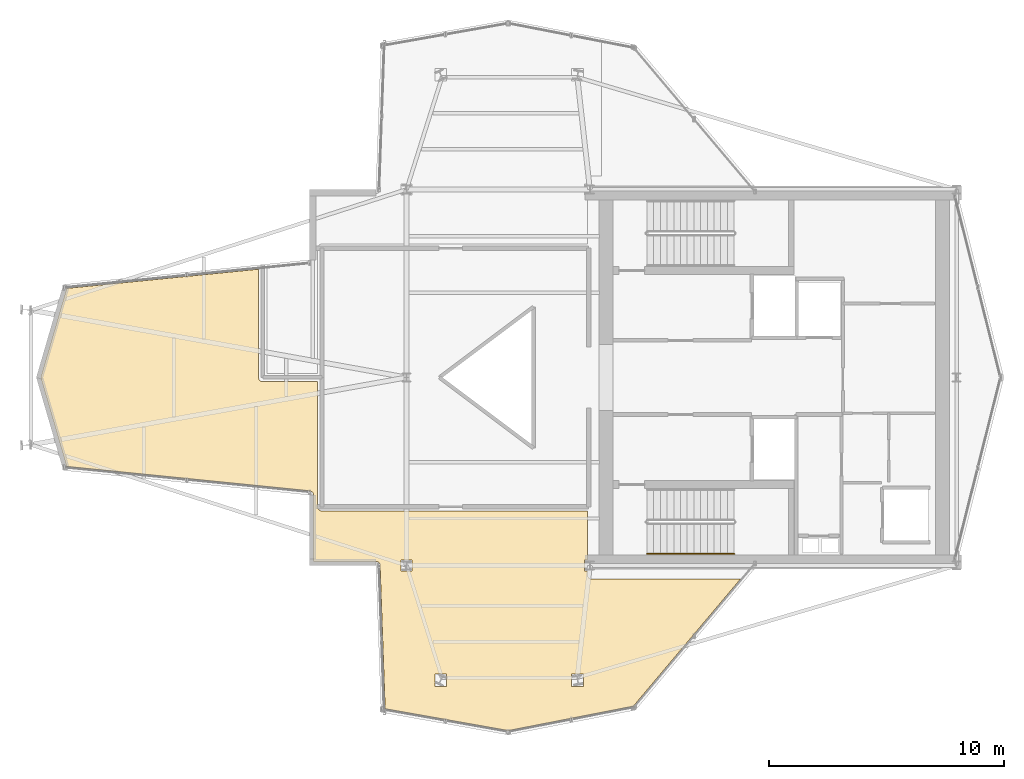
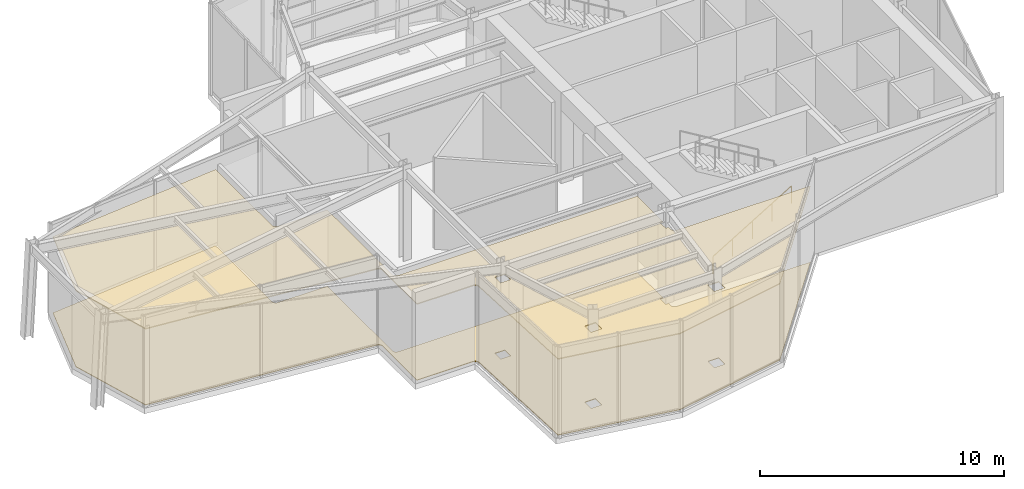
# One storey, part 12 of 15: 2 coverings, 1 railing.
"""IFC4 building model written with IfcOpenShell, lengths in metres."""

from ifc_helpers import new_model, si_unit, direction, frame, origin, origin_2d, place, context, subcontext, project, spatial, polyline, circle, outline, extrude, material, layer, layer_set, type_object, element, save


model = new_model("IFC4")

# Units and contexts
model_context = context("Model", 3, precision=1e-05, world=origin(), true_north=direction((0.0, 1.0)))
body_context = subcontext(model_context, "Body", "Model", "MODEL_VIEW")
ifc_project = project(units=[si_unit("LENGTHUNIT", "METRE"), si_unit("AREAUNIT", "SQUARE_METRE"), si_unit("VOLUMEUNIT", "CUBIC_METRE"), si_unit("PLANEANGLEUNIT", "RADIAN"), si_unit("MASSUNIT", "GRAM", prefix="KILO")], contexts=[model_context])

# Site, building, storey
site_placement = place(None, origin())
site = spatial("IfcSite", under=ifc_project, at=site_placement, CompositionType="ELEMENT")
building_placement = place(site_placement, origin())
building = spatial("IfcBuilding", under=site, at=building_placement, Name="Veymaron Broadcast Tower", CompositionType="ELEMENT")
storey_placement = place(building_placement, frame((0.0, 0.0, 262.050048828125)))
storey = spatial("IfcBuildingStorey", under=building, at=storey_placement, Name="L61", CompositionType="ELEMENT", Elevation=262.050048828125)

# Coverings
ifc_material_1 = material(Name="Micro-perforated dark-anodised aluminium baffle", Category="aluminium")
ifc_layer_1 = layer(ifc_material_1, 0.050048828125)
ifc_layer_set_1 = layer_set([ifc_layer_1], Name="Micro-perforated dark-anodised aluminium baffle")
covering_type_1 = type_object("IfcCoveringType", Name="COV-CEIL-MTL", PredefinedType="CEILING", material=ifc_layer_set_1)
covering_1_placement = place(storey_placement, frame((0.0, 0.0, 3.7900390625)))
element("IfcCovering", 1, at=covering_1_placement, inside=storey, type_object=covering_type_1, Name="L61 suspended acoustic ceiling 1", PredefinedType="CEILING", context=body_context, shape_type="SweptSolid", body=[
    extrude(outline(polyline([(29.90966796875, 16.17919921875), (29.892333984375, 16.179931640625), (27.243896484375, 16.179931640625), (27.243896484375, 18.994873046875), (27.2431640625, 19.012451171875), (27.240478515625, 19.030029296875), (27.236328125, 19.047119140625), (27.230224609375, 19.063720703125), (27.222900390625, 19.07958984375), (27.213623046875, 19.0947265625), (27.203125, 19.10888671875), (27.19140625, 19.1220703125), (27.17822265625, 19.1337890625), (27.164306640625, 19.144287109375), (27.149169921875, 19.153564453125), (27.133056640625, 19.1611328125), (27.116455078125, 19.1669921875), (27.099365234375, 19.17138671875), (27.08203125, 19.174072265625), (25.10205078125, 19.37255859375), (16.739013671875, 20.210693359375), (15.635498046875, 24.0), (16.739013671875, 27.789306640625), (24.904052734375, 28.607666015625), (24.904052734375, 24.0), (24.90478515625, 23.982421875), (24.907470703125, 23.96484375), (24.911865234375, 23.94775390625), (24.917724609375, 23.93115234375), (24.92529296875, 23.9150390625), (24.934326171875, 23.89990234375), (24.94482421875, 23.8857421875), (24.956787109375, 23.872802734375), (24.9697265625, 23.86083984375), (24.98388671875, 23.850341796875), (24.9990234375, 23.84130859375), (25.01513671875, 23.833740234375), (25.03173828125, 23.827880859375), (25.048828125, 23.823486328125), (25.06640625, 23.82080078125), (25.083984375, 23.820068359375), (27.419921875, 23.820068359375), (27.419921875, 18.5), (27.4208984375, 18.482421875), (27.423583984375, 18.46484375), (27.427734375, 18.44775390625), (27.43359375, 18.43115234375), (27.44140625, 18.4150390625), (27.4501953125, 18.39990234375), (27.4609375, 18.3857421875), (27.47265625, 18.372802734375), (27.48583984375, 18.36083984375), (27.5, 18.350341796875), (27.51513671875, 18.34130859375), (27.531005859375, 18.333740234375), (27.547607421875, 18.327880859375), (27.56494140625, 18.323486328125), (27.58251953125, 18.32080078125), (27.60009765625, 18.320068359375), (38.89990234375, 18.320068359375), (38.89990234375, 16.23388671875), (38.763427734375, 16.23388671875), (38.763427734375, 15.76611328125), (38.89990234375, 15.76611328125), (38.89990234375, 15.60009765625), (38.90087890625, 15.58251953125), (38.903564453125, 15.56494140625), (38.90771484375, 15.547607421875), (38.913818359375, 15.531005859375), (38.92138671875, 15.51513671875), (38.930419921875, 15.5), (38.94091796875, 15.48583984375), (38.95263671875, 15.47265625), (38.9658203125, 15.4609375), (38.97998046875, 15.4501953125), (38.9951171875, 15.44140625), (39.010986328125, 15.43359375), (39.027587890625, 15.427734375), (39.044921875, 15.423583984375), (39.0625, 15.4208984375), (39.080078125, 15.419921875), (45.40185546875, 15.419921875), (40.844970703125, 10.012451171875), (35.5263671875, 8.97509765625), (30.288818359375, 9.90380859375), (30.090576171875, 15.490478515625), (30.072265625, 16.00634765625), (30.07080078125, 16.023681640625), (30.06787109375, 16.04052734375), (30.06298828125, 16.05712890625), (30.056884765625, 16.0732421875), (30.049072265625, 16.088623046875), (30.039794921875, 16.103271484375), (30.029296875, 16.116943359375), (30.017333984375, 16.12939453125), (30.00439453125, 16.140869140625), (29.990478515625, 16.15087890625), (29.9755859375, 16.15966796875), (29.959716796875, 16.1669921875), (29.943603515625, 16.172607421875), (29.9267578125, 16.1767578125), (29.90966796875, 16.17919921875)]), holes=[polyline([(38.73291015625, 11.3779296875), (38.22705078125, 11.3779296875), (38.22705078125, 10.862060546875), (38.73291015625, 10.862060546875), (38.73291015625, 11.3779296875)]), polyline([(32.403076171875, 11.3779296875), (32.403076171875, 10.862060546875), (32.908935546875, 10.862060546875), (32.908935546875, 11.3779296875), (32.403076171875, 11.3779296875)]), polyline([(30.96337890625, 16.23388671875), (30.96337890625, 15.76611328125), (31.4365234375, 15.76611328125), (31.4365234375, 16.23388671875), (30.96337890625, 16.23388671875)])]), origin(), (0.0, 0.0, 1.0), 0.0498046875),
])
ifc_material_2 = material(Name="Honed Saudi basalt stone flooring", Category="masonry")
ifc_layer_2 = layer(ifc_material_2, 0.030029296875)
ifc_layer_set_2 = layer_set([ifc_layer_2], Name="Honed Saudi basalt stone flooring")
covering_type_2 = type_object("IfcCoveringType", Name="COV-FLR-STN", PredefinedType="FLOORING", material=ifc_layer_set_2)
covering_2_placement = place(storey_placement, origin())
element("IfcCovering", 2, at=covering_2_placement, inside=storey, type_object=covering_type_2, Name="L61 finished flooring 1", PredefinedType="FLOORING", context=body_context, shape_type="SweptSolid", body=[
    extrude(outline(polyline([(29.90966796875, 16.17919921875), (29.892333984375, 16.179931640625), (27.243896484375, 16.179931640625), (27.243896484375, 18.994873046875), (27.2431640625, 19.012451171875), (27.240478515625, 19.030029296875), (27.236328125, 19.047119140625), (27.230224609375, 19.063720703125), (27.222900390625, 19.07958984375), (27.213623046875, 19.0947265625), (27.203125, 19.10888671875), (27.19140625, 19.1220703125), (27.17822265625, 19.1337890625), (27.164306640625, 19.144287109375), (27.149169921875, 19.153564453125), (27.133056640625, 19.1611328125), (27.116455078125, 19.1669921875), (27.099365234375, 19.17138671875), (27.08203125, 19.174072265625), (25.10205078125, 19.37255859375), (16.739013671875, 20.210693359375), (15.635498046875, 24.0), (16.739013671875, 27.789306640625), (24.904052734375, 28.607666015625), (24.904052734375, 24.0), (24.90478515625, 23.982421875), (24.907470703125, 23.96484375), (24.911865234375, 23.94775390625), (24.917724609375, 23.93115234375), (24.92529296875, 23.9150390625), (24.934326171875, 23.89990234375), (24.94482421875, 23.8857421875), (24.956787109375, 23.872802734375), (24.9697265625, 23.86083984375), (24.98388671875, 23.850341796875), (24.9990234375, 23.84130859375), (25.01513671875, 23.833740234375), (25.03173828125, 23.827880859375), (25.048828125, 23.823486328125), (25.06640625, 23.82080078125), (25.083984375, 23.820068359375), (27.419921875, 23.820068359375), (27.419921875, 18.5), (27.4208984375, 18.482421875), (27.423583984375, 18.46484375), (27.427734375, 18.44775390625), (27.43359375, 18.43115234375), (27.44140625, 18.4150390625), (27.4501953125, 18.39990234375), (27.4609375, 18.3857421875), (27.47265625, 18.372802734375), (27.48583984375, 18.36083984375), (27.5, 18.350341796875), (27.51513671875, 18.34130859375), (27.531005859375, 18.333740234375), (27.547607421875, 18.327880859375), (27.56494140625, 18.323486328125), (27.58251953125, 18.32080078125), (27.60009765625, 18.320068359375), (38.89990234375, 18.320068359375), (38.89990234375, 16.23388671875), (38.763427734375, 16.23388671875), (38.763427734375, 15.76611328125), (38.89990234375, 15.76611328125), (38.89990234375, 15.60009765625), (38.90087890625, 15.58251953125), (38.903564453125, 15.56494140625), (38.90771484375, 15.547607421875), (38.913818359375, 15.531005859375), (38.92138671875, 15.51513671875), (38.930419921875, 15.5), (38.94091796875, 15.48583984375), (38.95263671875, 15.47265625), (38.9658203125, 15.4609375), (38.97998046875, 15.4501953125), (38.9951171875, 15.44140625), (39.010986328125, 15.43359375), (39.027587890625, 15.427734375), (39.044921875, 15.423583984375), (39.0625, 15.4208984375), (39.080078125, 15.419921875), (45.40185546875, 15.419921875), (40.844970703125, 10.012451171875), (35.5263671875, 8.97509765625), (30.288818359375, 9.90380859375), (30.090576171875, 15.490478515625), (30.072265625, 16.00634765625), (30.07080078125, 16.023681640625), (30.06787109375, 16.04052734375), (30.06298828125, 16.05712890625), (30.056884765625, 16.0732421875), (30.049072265625, 16.088623046875), (30.039794921875, 16.103271484375), (30.029296875, 16.116943359375), (30.017333984375, 16.12939453125), (30.00439453125, 16.140869140625), (29.990478515625, 16.15087890625), (29.9755859375, 16.15966796875), (29.959716796875, 16.1669921875), (29.943603515625, 16.172607421875), (29.9267578125, 16.1767578125), (29.90966796875, 16.17919921875)]), holes=[polyline([(38.73291015625, 11.3779296875), (38.22705078125, 11.3779296875), (38.22705078125, 10.862060546875), (38.73291015625, 10.862060546875), (38.73291015625, 11.3779296875)]), polyline([(32.403076171875, 11.3779296875), (32.403076171875, 10.862060546875), (32.908935546875, 10.862060546875), (32.908935546875, 11.3779296875), (32.403076171875, 11.3779296875)]), polyline([(30.96337890625, 16.23388671875), (30.96337890625, 15.76611328125), (31.4365234375, 15.76611328125), (31.4365234375, 16.23388671875), (30.96337890625, 16.23388671875)])]), origin(), (0.0, 0.0, 1.0), 0.030029296875),
])

# Railing
ifc_material_3 = material(Name="Brushed stainless steel AISI 304", Category="steel")
railing_type = type_object("IfcRailingType", Name="RAIL-STAIR-HR", PredefinedType="HANDRAIL", material=ifc_material_3)
railing_placement = place(storey_placement, frame((41.429931640625, 16.5, 0.17138671875)))
element("IfcRailing", 3, at=railing_placement, inside=storey, type_object=railing_type, Name="L61 ST2 stair handrail 1", PredefinedType="HANDRAIL", context=body_context, shape_type="SweptSolid", body=[
    extrude(circle(Radius=0.02392578125, at=origin_2d()), frame((0.0, 0.0, 0.8759765625), z_axis=(0.856934400257, 0.0, 0.515425487977), x_axis=(0.0, 1.0, 0.0)), (0.0, 0.0, 1.0), 4.32373046875),
    extrude(circle(Radius=0.02099609375, at=origin_2d()), origin(), (0.0, 0.0, 1.0), 0.851806640625),
    extrude(circle(Radius=0.02099609375, at=origin_2d()), frame((0.92626953125, 0.0, 0.55712890625)), (0.0, 0.0, 1.0), 0.851806640625),
    extrude(circle(Radius=0.02099609375, at=origin_2d()), frame((1.8525390625, 0.0, 1.1142578125)), (0.0, 0.0, 1.0), 0.851806640625),
    extrude(circle(Radius=0.02099609375, at=origin_2d()), frame((2.77880859375, 0.0, 1.67138671875)), (0.0, 0.0, 1.0), 0.851806640625),
    extrude(circle(Radius=0.02099609375, at=origin_2d()), frame((3.705078125, 0.0, 2.228515625)), (0.0, 0.0, 1.0), 0.851806640625),
])

save(model, "model.ifc")
